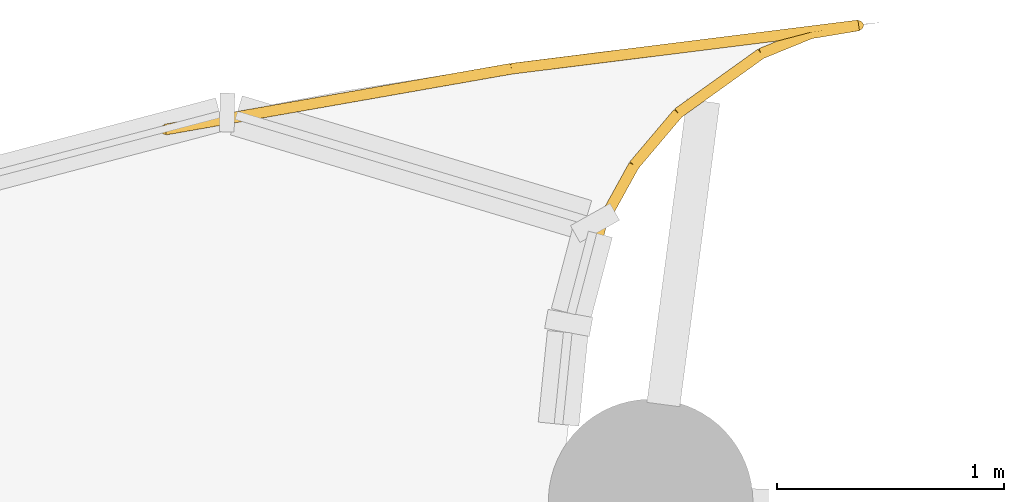
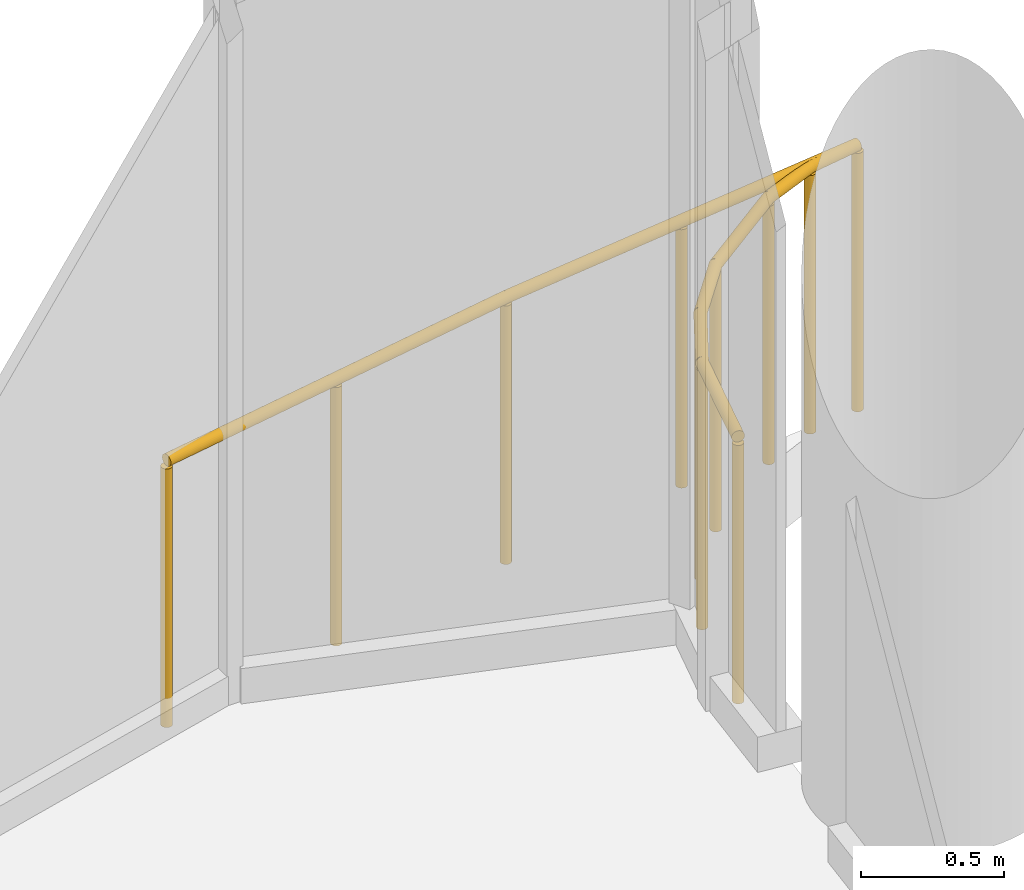
# One storey, part 17 of 17: 1 railing.
"""IFC4 building model written with IfcOpenShell, lengths in metres."""

from ifc_helpers import new_model, si_unit, direction, frame, origin, origin_2d, place, context, subcontext, project, spatial, circle, extrude, material, type_object, element, save


model = new_model("IFC4")

# Units and contexts
model_context = context("Model", 3, precision=1e-05, world=origin(), true_north=direction((0.0, 1.0)))
body_context = subcontext(model_context, "Body", "Model", "MODEL_VIEW")
ifc_project = project(units=[si_unit("LENGTHUNIT", "METRE"), si_unit("AREAUNIT", "SQUARE_METRE"), si_unit("VOLUMEUNIT", "CUBIC_METRE"), si_unit("PLANEANGLEUNIT", "RADIAN"), si_unit("MASSUNIT", "GRAM", prefix="KILO")], contexts=[model_context])

# Site, building, storey
site_placement = place(None, origin())
site = spatial("IfcSite", under=ifc_project, at=site_placement, CompositionType="ELEMENT")
building_placement = place(site_placement, origin())
building = spatial("IfcBuilding", under=site, at=building_placement, Name="Spindrift Exchange Tower", CompositionType="ELEMENT")
storey_placement = place(building_placement, frame((0.0, 0.0, 187.699951171875)))
storey = spatial("IfcBuildingStorey", under=building, at=storey_placement, Name="L45", CompositionType="ELEMENT", Elevation=187.699951171875)

# Railing
ifc_material = material(Name="Bronze anodised aluminium balustrade", Category="aluminium")
railing_type = type_object("IfcRailingType", Name="TERRACE GUARDRAIL 1150", PredefinedType="GUARDRAIL", material=ifc_material)
railing_placement = place(storey_placement, frame((52.271728515625, 67.914306640625, 0.0)))
element("IfcRailing", 1, at=railing_placement, inside=storey, type_object=railing_type, Name="L45 Sky Garden Edge Guardrail 1", PredefinedType="GUARDRAIL", context=body_context, shape_type="SweptSolid", body=[
    extrude(circle(Radius=0.02392578125, at=origin_2d()), frame((0.0, 0.0, 1.1259765625), z_axis=(0.984904159564, 0.173100538628, 0.0), x_axis=(-0.173100538628, 0.984904159564, 0.0)), (0.0, 0.0, 1.0), 0.77294921875),
    extrude(circle(Radius=0.02392578125, at=origin_2d()), frame((0.76123046875, 0.1337890625, 1.1259765625), z_axis=(0.984894690274, 0.173154408171, 0.0), x_axis=(-0.173154408171, 0.984894690274, 0.0)), (0.0, 0.0, 1.0), 0.772705078125),
    extrude(circle(Radius=0.02392578125, at=origin_2d()), frame((1.522216796875, 0.267578125, 1.1259765625), z_axis=(0.992316872086, 0.123722372159, 0.0), x_axis=(-0.123722372159, 0.992316872086, 0.0)), (0.0, 0.0, 1.0), 0.76953125),
    extrude(circle(Radius=0.02392578125, at=origin_2d()), frame((2.285888671875, 0.36279296875, 1.1259765625), z_axis=(0.992282754785, 0.123995703778, 0.0), x_axis=(-0.123995703778, 0.992282754785, 0.0)), (0.0, 0.0, 1.0), 0.769775390625),
    extrude(circle(Radius=0.02392578125, at=origin_2d()), frame((3.0498046875, 0.458251953125, 1.1259765625), z_axis=(-0.98660886109, -0.163104123856, 0.0), x_axis=(0.163104123856, -0.98660886109, 0.0)), (0.0, 0.0, 1.0), 0.214111328125),
    extrude(circle(Radius=0.02392578125, at=origin_2d()), frame((2.838623046875, 0.42333984375, 1.1259765625), z_axis=(-0.925662495908, -0.378350292281, 0.0), x_axis=(0.378350292281, -0.925662495908, 0.0)), (0.0, 0.0, 1.0), 0.235595703125),
    extrude(circle(Radius=0.02392578125, at=origin_2d()), frame((2.62060546875, 0.334228515625, 1.1259765625), z_axis=(-0.812666962411, -0.582728417194, 0.0), x_axis=(0.582728417194, -0.812666962411, 0.0)), (0.0, 0.0, 1.0), 0.44921875),
    extrude(circle(Radius=0.02392578125, at=origin_2d()), frame((2.255615234375, 0.072509765625, 1.1259765625), z_axis=(-0.64608813683, -0.763262811519, 0.0), x_axis=(0.763262811519, -0.64608813683, 0.0)), (0.0, 0.0, 1.0), 0.300048828125),
    extrude(circle(Radius=0.02392578125, at=origin_2d()), frame((2.061767578125, -0.156494140625, 1.1259765625), z_axis=(-0.482948377119, -0.87564882518, 0.0), x_axis=(0.87564882518, -0.482948377119, 0.0)), (0.0, 0.0, 1.0), 0.30029296875),
    extrude(circle(Radius=0.02392578125, at=origin_2d()), frame((1.916748046875, -0.41943359375, 1.1259765625), z_axis=(-0.248663811233, -0.968589855916, 0.0), x_axis=(0.968589855916, -0.248663811233, 0.0)), (0.0, 0.0, 1.0), 0.46826171875),
    extrude(circle(Radius=0.02099609375, at=origin_2d()), origin(), (0.0, 0.0, 1.0), 1.101806640625),
    extrude(circle(Radius=0.02099609375, at=origin_2d()), frame((0.76123046875, 0.1337890625, 0.0)), (0.0, 0.0, 1.0), 1.101806640625),
    extrude(circle(Radius=0.02099609375, at=origin_2d()), frame((1.522216796875, 0.267578125, 0.0)), (0.0, 0.0, 1.0), 1.101806640625),
    extrude(circle(Radius=0.02099609375, at=origin_2d()), frame((2.285888671875, 0.36279296875, 0.0)), (0.0, 0.0, 1.0), 1.101806640625),
    extrude(circle(Radius=0.02099609375, at=origin_2d()), frame((3.0498046875, 0.458251953125, 0.0)), (0.0, 0.0, 1.0), 1.101806640625),
    extrude(circle(Radius=0.02099609375, at=origin_2d()), frame((2.838623046875, 0.42333984375, 0.0)), (0.0, 0.0, 1.0), 1.101806640625),
    extrude(circle(Radius=0.02099609375, at=origin_2d()), frame((2.62060546875, 0.334228515625, 0.0)), (0.0, 0.0, 1.0), 1.101806640625),
    extrude(circle(Radius=0.02099609375, at=origin_2d()), frame((2.255615234375, 0.072509765625, 0.0)), (0.0, 0.0, 1.0), 1.101806640625),
    extrude(circle(Radius=0.02099609375, at=origin_2d()), frame((2.061767578125, -0.156494140625, 0.0)), (0.0, 0.0, 1.0), 1.101806640625),
    extrude(circle(Radius=0.02099609375, at=origin_2d()), frame((1.916748046875, -0.41943359375, 0.0)), (0.0, 0.0, 1.0), 1.101806640625),
    extrude(circle(Radius=0.02099609375, at=origin_2d()), frame((1.80029296875, -0.873046875, 0.0)), (0.0, 0.0, 1.0), 1.101806640625),
])

save(model, "model.ifc")
